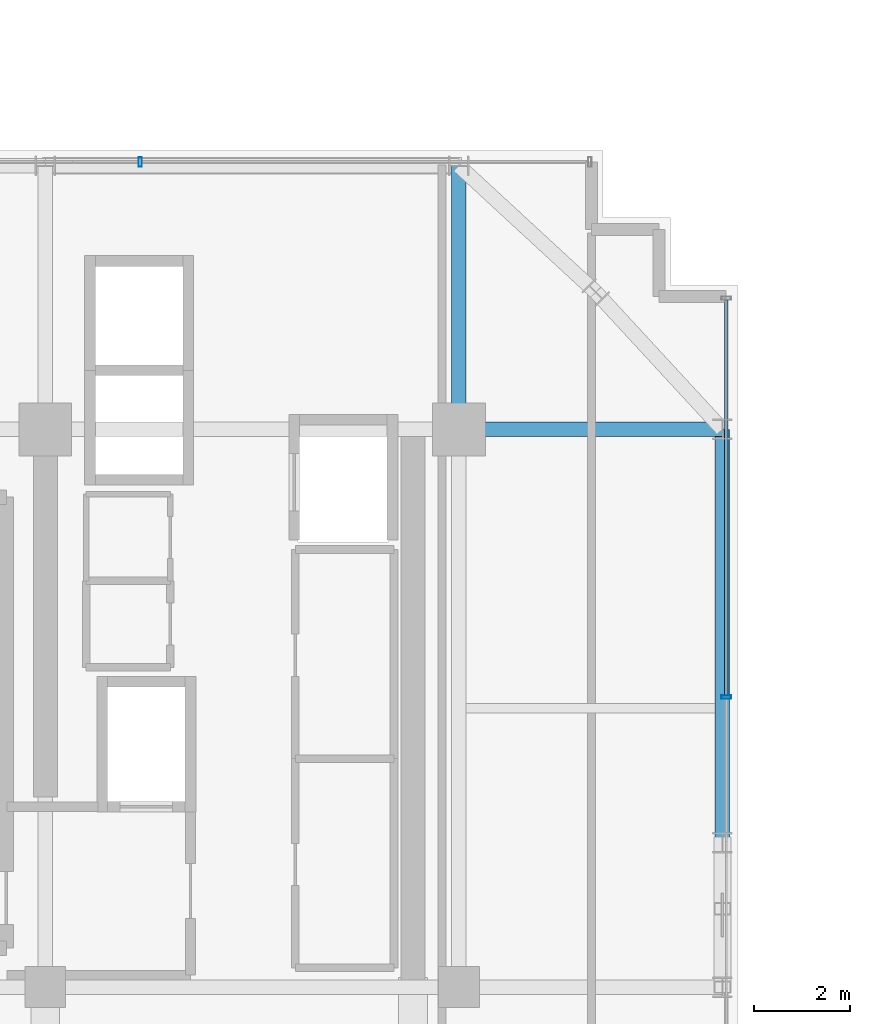
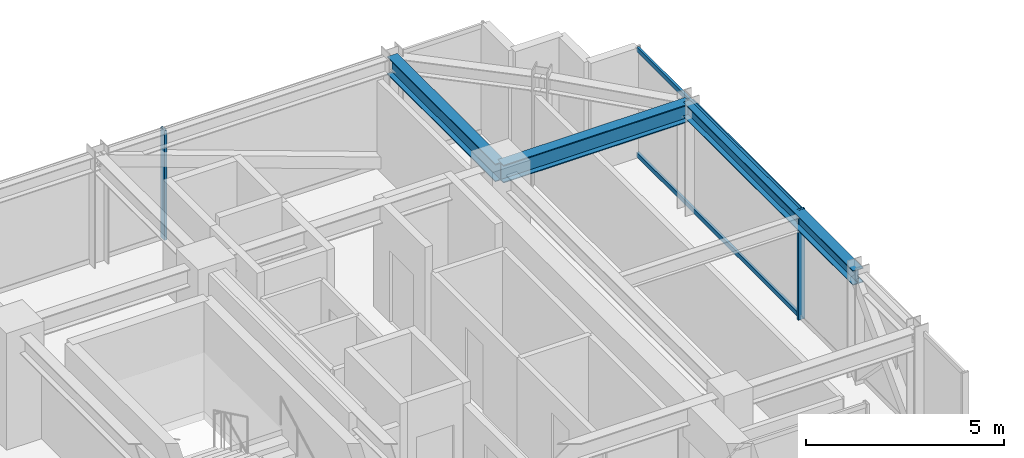
# One storey, part 26 of 36: 4 members, 3 beams, 2 elements without a shape of their own.
"""IFC4 building model written with IfcOpenShell, lengths in metres."""

import ifcopenshell
import ifcopenshell.guid

model = None  # the IFC model being written
_history = None  # IfcOwnerHistory: only IFC2X3 demands one
_inside = {}  # id of a spatial element -> (the spatial element, [elements in it])
_under = {}  # id of a project, library or spatial element -> (it, [spatial elements below it])
_declared = {}  # id of a project -> (the project, [libraries it declares])
_typed = {}  # id of a type object -> (the type object, [elements of that type])
_made_of = {}  # id of a material, layer set ... -> (it, [elements and type objects made of it])


def new_model(schema):
    """Start an empty IFC model of exactly this schema.

    Asked for "IFC4X3", IfcOpenShell would pick the latest addendum, in which some entities
    have other attributes; the version numbers below select the first issue.
    IFC2X3 requires an IfcOwnerHistory on every rooted entity: one is made here for all.
    """
    global model, _history
    if schema == "IFC4X3":
        model = ifcopenshell.file(schema_version=(4, 3, 0, 0))
    else:
        model = ifcopenshell.file(schema=schema)
    _inside.clear()
    _under.clear()
    _declared.clear()
    _typed.clear()
    _made_of.clear()
    _history = None
    if model.schema == "IFC2X3":
        org = make("IfcOrganization", Name="unknown")
        user = make(
            "IfcPersonAndOrganization",
            ThePerson=make("IfcPerson", FamilyName="unknown"),
            TheOrganization=org,
        )
        app = make(
            "IfcApplication",
            ApplicationDeveloper=org,
            Version="unknown",
            ApplicationFullName="unknown",
            ApplicationIdentifier="unknown",
        )
        _history = make(
            "IfcOwnerHistory",
            OwningUser=user,
            OwningApplication=app,
            ChangeAction="ADDED",
            CreationDate=0,
        )
    return model


def make(cls, **values):
    """One entity of the class cls with the attributes given. An attribute that is None is left unset."""
    return model.create_entity(
        cls, **{name: value for name, value in values.items() if value is not None}
    )


def rooted(cls, **values):
    """An entity with a GlobalId (a new one), such as an element, a storey or a relation."""
    return make(cls, GlobalId=ifcopenshell.guid.new(), OwnerHistory=_history, **values)


def si_unit(unit_type, name, prefix=None):
    """IfcSIUnit, for example si_unit("LENGTHUNIT", "METRE", prefix="MILLI")."""
    return make("IfcSIUnit", UnitType=unit_type, Prefix=prefix, Name=name)


def assignment(units):
    """IfcUnitAssignment: the units of a project."""
    return None if units is None else make("IfcUnitAssignment", Units=units)


def point(xyz):
    """IfcCartesianPoint."""
    return None if xyz is None else make("IfcCartesianPoint", Coordinates=xyz)


def direction(xyz):
    """IfcDirection."""
    return None if xyz is None else make("IfcDirection", DirectionRatios=xyz)


def frame(location, z_axis=None, x_axis=None):
    """IfcAxis2Placement3D, a coordinate frame: its origin and axes. An axis left out is left unset."""
    return make(
        "IfcAxis2Placement3D",
        Location=point(location),
        Axis=direction(z_axis),
        RefDirection=direction(x_axis),
    )


def frame_2d(location, x_axis=None):
    """IfcAxis2Placement2D, a coordinate frame in the plane: its origin and x axis."""
    return make(
        "IfcAxis2Placement2D", Location=point(location), RefDirection=direction(x_axis)
    )


def origin():
    """The frame at (0, 0, 0) with its axes left unset."""
    return frame((0.0, 0.0, 0.0))


def origin_2d():
    """The frame at (0, 0) in the plane with its x axis left unset."""
    return frame_2d((0.0, 0.0))


def place(relative_to, where):
    """IfcLocalPlacement: puts the frame where relative to a parent placement (None: the world)."""
    return make(
        "IfcLocalPlacement", PlacementRelTo=relative_to, RelativePlacement=where
    )


def context(
    kind, dimensions, precision=None, world=None, true_north=None, identifier=None
):
    """IfcGeometricRepresentationContext, for example the 3D "Model" context."""
    return make(
        "IfcGeometricRepresentationContext",
        ContextIdentifier=identifier,
        ContextType=kind,
        CoordinateSpaceDimension=dimensions,
        Precision=precision,
        WorldCoordinateSystem=world,
        TrueNorth=true_north,
    )


def subcontext(parent, identifier, kind, view, scale=None):
    """IfcGeometricRepresentationSubContext, for example "Body" below "Model"."""
    return make(
        "IfcGeometricRepresentationSubContext",
        ContextIdentifier=identifier,
        ContextType=kind,
        ParentContext=parent,
        TargetScale=scale,
        TargetView=view,
    )


def project(units=None, contexts=None):
    """IfcProject with its units and contexts."""
    return rooted(
        "IfcProject",
        Name="project",
        RepresentationContexts=contexts,
        UnitsInContext=assignment(units),
    )


def spatial(cls, under=None, at=None, **own):
    """A site, building, storey or space (cls), placed at a placement, below another one or the project."""
    s = rooted(cls, ObjectPlacement=at, **own)
    if under is not None:
        _under.setdefault(under.id(), (under, []))[1].append(s)
    return s


def profile(cls, at=None, kind="AREA", **sizes):
    """A parametric profile (cls). Its sizes go by their IFC names, for example OverallWidth=200.0."""
    return make(cls, ProfileType=kind, Position=at, **sizes)


def hollow_rectangle(**sizes):
    """IfcRectangleHollowProfileDef."""
    return profile("IfcRectangleHollowProfileDef", **sizes)


def i_section(**sizes):
    """IfcIShapeProfileDef."""
    return profile("IfcIShapeProfileDef", **sizes)


def extrude(swept, where, along, depth):
    """IfcExtrudedAreaSolid: the profile swept, set in the frame where, extruded along a direction by depth."""
    return make(
        "IfcExtrudedAreaSolid",
        SweptArea=swept,
        Position=where,
        ExtrudedDirection=direction(along),
        Depth=depth,
    )


def shape(context_of_items, identifier, shape_type, items):
    """IfcShapeRepresentation: the items that make up one representation, for example the "Body"."""
    return make(
        "IfcShapeRepresentation",
        ContextOfItems=context_of_items,
        RepresentationIdentifier=identifier,
        RepresentationType=shape_type,
        Items=items,
    )


def source(mapping_origin, context_of_items, identifier, shape_type, items):
    """IfcRepresentationMap: a shape defined once, which mapped items show again and again."""
    return make(
        "IfcRepresentationMap",
        MappingOrigin=mapping_origin,
        MappedRepresentation=shape(context_of_items, identifier, shape_type, items),
    )


def transform(
    local_origin,
    x_axis=None,
    y_axis=None,
    z_axis=None,
    scale=None,
    scale2=None,
    scale3=None,
    uniform=True,
):
    """IfcCartesianTransformationOperator3D, or its non-uniform kind. x_axis, y_axis, z_axis: its Axis1, 2, 3."""
    if uniform:
        return make(
            "IfcCartesianTransformationOperator3D",
            Axis1=direction(x_axis),
            Axis2=direction(y_axis),
            LocalOrigin=point(local_origin),
            Scale=scale,
            Axis3=direction(z_axis),
        )
    return make(
        "IfcCartesianTransformationOperator3DnonUniform",
        Axis1=direction(x_axis),
        Axis2=direction(y_axis),
        LocalOrigin=point(local_origin),
        Scale=scale,
        Axis3=direction(z_axis),
        Scale2=scale2,
        Scale3=scale3,
    )


def mapped(mapping_source, mapping_target):
    """IfcMappedItem: shows the shape of a source again, moved by a transform."""
    return make(
        "IfcMappedItem", MappingSource=mapping_source, MappingTarget=mapping_target
    )


def material(Name=None, Category=None):
    """IfcMaterial."""
    return make("IfcMaterial", Name=Name, Category=Category)


def material_profile(
    of_material, cross_section, Name=None, Category=None, Priority=None
):
    """IfcMaterialProfile: a cross section and its material."""
    return make(
        "IfcMaterialProfile",
        Name=Name,
        Material=of_material,
        Profile=cross_section,
        Priority=Priority,
        Category=Category,
    )


def profile_set(profiles, Name=None, composite=None):
    """IfcMaterialProfileSet."""
    return make(
        "IfcMaterialProfileSet",
        Name=Name,
        MaterialProfiles=profiles,
        CompositeProfile=composite,
    )


def made_of(thing, what):
    """Note that an element or type object is made of a material, layer set ...; save() writes the relation."""
    if what is not None:
        _made_of.setdefault(what.id(), (what, []))[1].append(thing)
    return thing


def type_object(cls, material=None, **own):
    """A type object (cls), such as IfcWallType, which elements share."""
    return made_of(rooted(cls, **own), material)


def element(
    cls,
    number,
    at=None,
    inside=None,
    cuts=None,
    type_object=None,
    material=None,
    context=None,
    identifier="Body",
    shape_type=None,
    held_by="IfcProductDefinitionShape",
    body=None,
    shapes=None,
    **own,
):
    """One element of the class cls, such as IfcWall. Its Tag is "e" and its number.

    at: its placement. inside: the storey or other place that contains it. cuts: it is an
    opening in that element (IfcRelVoidsElement). A single representation is given by context,
    identifier, shape_type and body (its items); several are given by shapes. held_by: the class
    of the entity that holds the representations. save() writes the other relations.
    """
    e = rooted(cls, Tag="e%d" % number, ObjectPlacement=at, **own)
    if body is not None:
        shapes = [shape(context, identifier, shape_type, body)]
    if shapes is not None:
        e.Representation = make(held_by, Representations=shapes)
    if inside is not None:
        _inside.setdefault(inside.id(), (inside, []))[1].append(e)
    if cuts is not None:
        rooted(
            "IfcRelVoidsElement", RelatingBuildingElement=cuts, RelatedOpeningElement=e
        )
    if type_object is not None:
        _typed.setdefault(type_object.id(), (type_object, []))[1].append(e)
    return made_of(e, material)


def aggregate(whole, parts):
    """IfcRelAggregates: a whole, such as a stair, and the parts it consists of."""
    return rooted("IfcRelAggregates", RelatingObject=whole, RelatedObjects=parts)


def save(model, path):
    """Write the relations noted so far, then the file.

    IfcRelAggregates (storeys below a building ...), IfcRelContainedInSpatialStructure (elements
    in a storey), IfcRelDefinesByType, IfcRelAssociatesMaterial and IfcRelDeclares: one each for
    every whole, place, type object, material and project.
    """
    for whole, parts in _under.values():
        aggregate(whole, parts)
    for where, things in _inside.values():
        rooted(
            "IfcRelContainedInSpatialStructure",
            RelatedElements=things,
            RelatingStructure=where,
        )
    for kind, things in _typed.values():
        rooted("IfcRelDefinesByType", RelatedObjects=things, RelatingType=kind)
    for what, things in _made_of.values():
        rooted("IfcRelAssociatesMaterial", RelatedObjects=things, RelatingMaterial=what)
    for by, libraries in _declared.values():
        rooted("IfcRelDeclares", RelatingContext=by, RelatedDefinitions=libraries)
    model.write(path)


model = new_model("IFC4")

# Units and contexts
model_context = context("Model", 3, precision=1e-05, world=origin(), true_north=direction((0.0, 1.0)))
body_context = subcontext(model_context, "Body", "Model", "MODEL_VIEW")
ifc_project = project(units=[si_unit("LENGTHUNIT", "METRE"), si_unit("AREAUNIT", "SQUARE_METRE"), si_unit("VOLUMEUNIT", "CUBIC_METRE"), si_unit("PLANEANGLEUNIT", "RADIAN"), si_unit("MASSUNIT", "GRAM", prefix="KILO")], contexts=[model_context])

# Site, building, storey
site_placement = place(None, origin())
site = spatial("IfcSite", under=ifc_project, at=site_placement, CompositionType="ELEMENT")
building_placement = place(site_placement, origin())
building = spatial("IfcBuilding", under=site, at=building_placement, Name="Nahalor Promenade Grand Hotel", CompositionType="ELEMENT")
storey_placement = place(building_placement, frame((0.0, 0.0, 174.550048828125)))
storey = spatial("IfcBuildingStorey", under=building, at=storey_placement, Name="L44", CompositionType="ELEMENT", Elevation=174.550048828125)

# Beams
ifc_material_1 = material(Name="Steel S355JR", Category="steel")
ifc_material_profile_1 = material_profile(ifc_material_1, i_section(OverallWidth=0.3, OverallDepth=0.55, WebThickness=0.015, FlangeThickness=0.029, at=origin_2d()), Name="HEB 550")
ifc_profile_set_1 = profile_set([ifc_material_profile_1], Name="Steel S355JR")
beam_type_1 = type_object("IfcBeamType", Name="Beam-Girder-HEB550", PredefinedType="BEAM", material=ifc_profile_set_1)
shared_shape_1 = source(origin(), body_context, "Body", "SweptSolid", [
    extrude(i_section(OverallWidth=0.3, OverallDepth=0.55, WebThickness=0.015, FlangeThickness=0.029, at=origin_2d()), origin(), (0.0, 0.0, 1.0), 5.47998046875),
])
for number, where, z_axis, x_axis, name in (
    (1, (17.0, 17.0, 3.114990234375), (1.0, 0.0, 0.0), (0.0, 1.0, 0.0), "BM-L44-GX-3-6"),
    (2, (17.0, 17.0, 3.114990234375), (0.0, 1.0, 0.0), (-1.0, 0.0, 0.0), "BM-L44-GY-5-4"),
):
    element("IfcBeam", number, at=place(storey_placement, frame(where, z_axis=z_axis, x_axis=x_axis)), inside=storey, type_object=beam_type_1, Name=name, PredefinedType="BEAM", context=body_context, shape_type="MappedRepresentation", body=[
        mapped(shared_shape_1, transform((0.0, 0.0, 0.0), scale=1.0)),
    ])
ifc_material_profile_2 = material_profile(ifc_material_1, i_section(OverallWidth=0.3, OverallDepth=0.45, WebThickness=0.014, FlangeThickness=0.026, at=origin_2d()), Name="HEB 450")
ifc_profile_set_2 = profile_set([ifc_material_profile_2], Name="Steel S355JR")
beam_type_2 = type_object("IfcBeamType", Name="Beam-Spandrel-HEB450", PredefinedType="SPANDREL", material=ifc_profile_set_2)
shared_shape_2 = source(origin(), body_context, "Body", "SweptSolid", [
    extrude(i_section(OverallWidth=0.3, OverallDepth=0.45, WebThickness=0.014, FlangeThickness=0.026, at=origin_2d()), origin(), (0.0, 0.0, 1.0), 8.60009765625),
])
beam_placement = place(storey_placement, frame((22.47998046875, 8.39990234375, 3.1650390625), z_axis=(0.0, 1.0, 0.0), x_axis=(-1.0, 0.0, 0.0)))
element("IfcBeam", 3, at=beam_placement, inside=storey, type_object=beam_type_2, Name="BM-L44-SP-E-4", PredefinedType="SPANDREL", context=body_context, shape_type="MappedRepresentation", body=[
    mapped(shared_shape_2, transform((0.0, 0.0, 0.0), scale=1.0)),
])

# Curtain wall, member
ifc_material_2 = material(Name="Anodised Bronze Aluminium EN AW-6063 T6", Category="aluminium")
curtain_wall_type = type_object("IfcCurtainWallType", Name="CW3 Elliptical-Void Collar Unitised Curtain Wall", PredefinedType="USERDEFINED", material=ifc_material_2)
curtain_wall_1_placement = place(storey_placement, origin())
curtain_wall_1 = element("IfcCurtainWall", 4, at=curtain_wall_1_placement, inside=storey, type_object=curtain_wall_type, Name="L44 Curtain Wall CW-L44-N-3", ObjectType="UNITISED_CURTAIN_WALL", PredefinedType="USERDEFINED")
ifc_material_profile_3 = material_profile(ifc_material_2, hollow_rectangle(XDim=0.07, YDim=0.2, WallThickness=0.005, at=origin_2d()), Name="CWM 70x200x5")
ifc_profile_set_3 = profile_set([ifc_material_profile_3], Name="Anodised Bronze Aluminium EN AW-6063 T6")
member_type_1 = type_object("IfcMemberType", Name="CWM3 Void Collar Mullion 70x200", PredefinedType="MULLION", material=ifc_profile_set_3)
shared_shape_3 = source(origin(), body_context, "Body", "SweptSolid", [
    extrude(hollow_rectangle(XDim=0.07, YDim=0.2, WallThickness=0.005, at=origin_2d()), origin(), (0.0, 0.0, 1.0), 3.389892578125),
])
member_1_placement = place(storey_placement, frame((10.373291015625, 22.56005859375, 0.0), z_axis=(0.0, 0.0, 1.0), x_axis=(1.0, 0.0, 0.0)))
member_1 = element("IfcMember", 5, at=member_1_placement, type_object=member_type_1, Name="CW-L44-N-3 Mullion 2", PredefinedType="MULLION", context=body_context, shape_type="MappedRepresentation", body=[
    mapped(shared_shape_3, transform((0.0, 0.0, 0.0), scale=1.0)),
])
aggregate(curtain_wall_1, [member_1])

# Curtain wall, members
curtain_wall_2_placement = place(storey_placement, origin())
curtain_wall_2 = element("IfcCurtainWall", 6, at=curtain_wall_2_placement, inside=storey, type_object=curtain_wall_type, Name="L44 Curtain Wall CW-L44-E-4", ObjectType="UNITISED_CURTAIN_WALL", PredefinedType="USERDEFINED")
member_2_placement = place(storey_placement, frame((22.56005859375, 11.429931640625, 0.0), z_axis=(0.0, 0.0, 1.0), x_axis=(0.0, 1.0, 0.0)))
member_2 = element("IfcMember", 7, at=member_2_placement, type_object=member_type_1, Name="CW-L44-E-4 Mullion 1", PredefinedType="MULLION", context=body_context, shape_type="MappedRepresentation", body=[
    mapped(shared_shape_3, transform((0.0, 0.0, 0.0), scale=1.0)),
])
ifc_material_profile_4 = material_profile(ifc_material_2, hollow_rectangle(XDim=0.07, YDim=0.14, WallThickness=0.004, at=origin_2d()), Name="CWT 70x140x4")
ifc_profile_set_4 = profile_set([ifc_material_profile_4], Name="Anodised Bronze Aluminium EN AW-6063 T6")
member_type_2 = type_object("IfcMemberType", Name="CWT3 Void Collar Transom 70x140", PredefinedType="USERDEFINED", material=ifc_profile_set_4)
shared_shape_4 = source(origin(), body_context, "Body", "SweptSolid", [
    extrude(hollow_rectangle(XDim=0.07, YDim=0.14, WallThickness=0.004, at=origin_2d()), origin(), (0.0, 0.0, 1.0), 8.224853515625),
])
member_3_placement = place(storey_placement, frame((22.56005859375, 11.465087890625, 0.070068359375), z_axis=(0.0, 1.0, 0.0), x_axis=(-1.0, 0.0, 0.0)))
member_3 = element("IfcMember", 8, at=member_3_placement, type_object=member_type_2, Name="CW-L44-E-4 Transom 1-0", ObjectType="TRANSOM", PredefinedType="USERDEFINED", context=body_context, shape_type="MappedRepresentation", body=[
    mapped(shared_shape_4, transform((0.0, 0.0, 0.0), scale=1.0)),
])
member_4_placement = place(storey_placement, frame((22.56005859375, 11.465087890625, 3.320068359375), z_axis=(0.0, 1.0, 0.0), x_axis=(-1.0, 0.0, 0.0)))
member_4 = element("IfcMember", 9, at=member_4_placement, type_object=member_type_2, Name="CW-L44-E-4 Transom 1-1", ObjectType="TRANSOM", PredefinedType="USERDEFINED", context=body_context, shape_type="MappedRepresentation", body=[
    mapped(shared_shape_4, transform((0.0, 0.0, 0.0), scale=1.0)),
])
aggregate(curtain_wall_2, [member_2, member_3, member_4])

save(model, "model.ifc")
